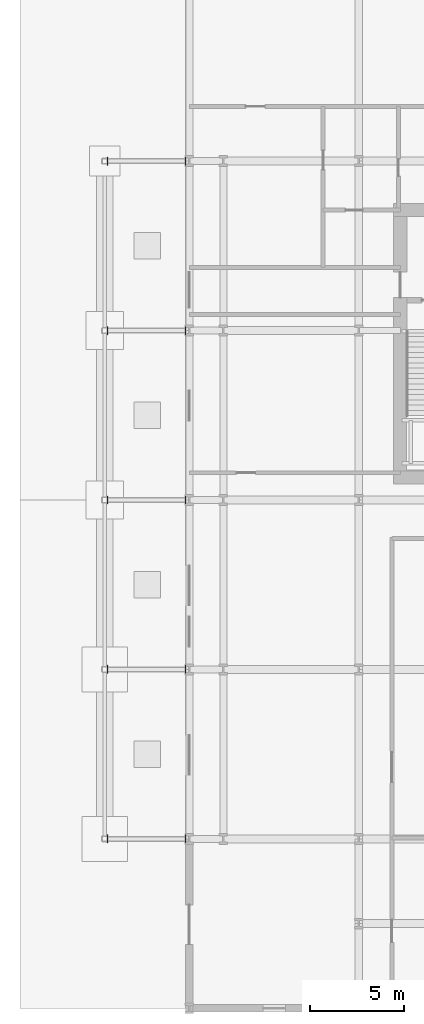
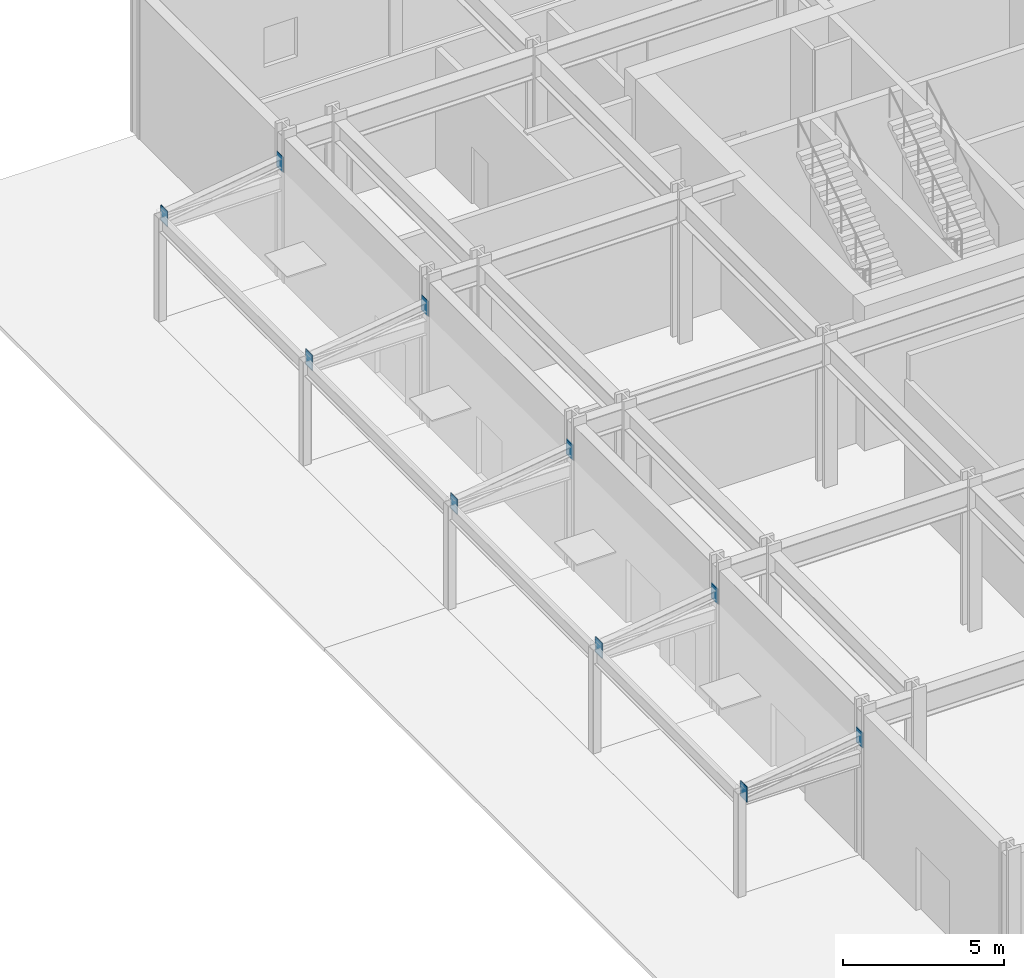
# One storey, part 9 of 19: 10 plates.
"""IFC4 building model written with IfcOpenShell, lengths in metres."""

from ifc_helpers import new_model, si_unit, direction, frame, origin, origin_2d, place, context, subcontext, project, spatial, rectangle, extrude, material, layer, layer_set, type_object, element, save


model = new_model("IFC4")

# Units and contexts
model_context = context("Model", 3, precision=1e-05, world=origin(), true_north=direction((0.0, 1.0)))
body_context = subcontext(model_context, "Body", "Model", "MODEL_VIEW")
ifc_project = project(units=[si_unit("LENGTHUNIT", "METRE"), si_unit("AREAUNIT", "SQUARE_METRE"), si_unit("VOLUMEUNIT", "CUBIC_METRE"), si_unit("PLANEANGLEUNIT", "RADIAN"), si_unit("MASSUNIT", "GRAM", prefix="KILO")], contexts=[model_context])

# Site, building, storey
site_placement = place(None, origin())
site = spatial("IfcSite", under=ifc_project, at=site_placement, CompositionType="ELEMENT")
building_placement = place(site_placement, origin())
building = spatial("IfcBuilding", under=site, at=building_placement, Name="Solvaryn Broadcast Tower", CompositionType="ELEMENT")
storey_placement = place(building_placement, origin())
storey = spatial("IfcBuildingStorey", under=building, at=storey_placement, Name="L00", CompositionType="ELEMENT", Elevation=0.0)

# Plates
ifc_material = material(Name="Steel ASTM A572 Grade 50", Category="steel")
ifc_layer = layer(ifc_material, 0.031982421875)
ifc_layer_set = layer_set([ifc_layer], Name="PL-ENDCAP-32")
plate_type = type_object("IfcPlateType", Name="PL-ENDCAP-32", PredefinedType="USERDEFINED", material=ifc_layer_set)
for number, where, z_axis, x_axis, name in (
    (1, (-0.199951171875, 9.0, 4.159912109375), (0.0, 0.0, 1.0), (1.0, 0.0, 0.0), "West Arcade Wall End Plate 1"),
    (2, (-4.35009765625, 9.0, 3.56005859375), (0.0, 0.0, 1.0), (1.0, 0.0, 0.0), "West Arcade Column End Plate 1"),
    (3, (-0.199951171875, 18.0, 4.159912109375), (0.0, 0.0, 1.0), (1.0, 0.0, 0.0), "West Arcade Wall End Plate 2"),
    (4, (-4.35009765625, 18.0, 3.56005859375), (0.0, 0.0, 1.0), (1.0, 0.0, 0.0), "West Arcade Column End Plate 2"),
    (5, (-0.199951171875, 27.0, 4.159912109375), (0.0, 0.0, 1.0), (1.0, 0.0, 0.0), "West Arcade Wall End Plate 3"),
    (6, (-4.35009765625, 27.0, 3.56005859375), (0.0, 0.0, 1.0), (1.0, 0.0, 0.0), "West Arcade Column End Plate 3"),
    (7, (-0.199951171875, 36.0, 4.159912109375), (0.0, 0.0, 1.0), (1.0, 0.0, 0.0), "West Arcade Wall End Plate 4"),
    (8, (-4.35009765625, 36.0, 3.56005859375), (0.0, 0.0, 1.0), (1.0, 0.0, 0.0), "West Arcade Column End Plate 4"),
    (9, (-0.199951171875, 45.0, 4.159912109375), (0.0, 0.0, 1.0), (1.0, 0.0, 0.0), "West Arcade Wall End Plate 5"),
    (10, (-4.35009765625, 45.0, 3.56005859375), (0.0, 0.0, 1.0), (1.0, 0.0, 0.0), "West Arcade Column End Plate 5"),
):
    element("IfcPlate", number, at=place(storey_placement, frame(where, z_axis=z_axis, x_axis=x_axis)), inside=storey, type_object=plate_type, Name=name, ObjectType="FLANGE_PLATE", PredefinedType="USERDEFINED", context=body_context, shape_type="SweptSolid", body=[
        extrude(rectangle(XDim=0.031982421875, YDim=0.419921875, at=origin_2d()), origin(), (0.0, 0.0, 1.0), 0.580078125),
    ])

save(model, "model.ifc")
